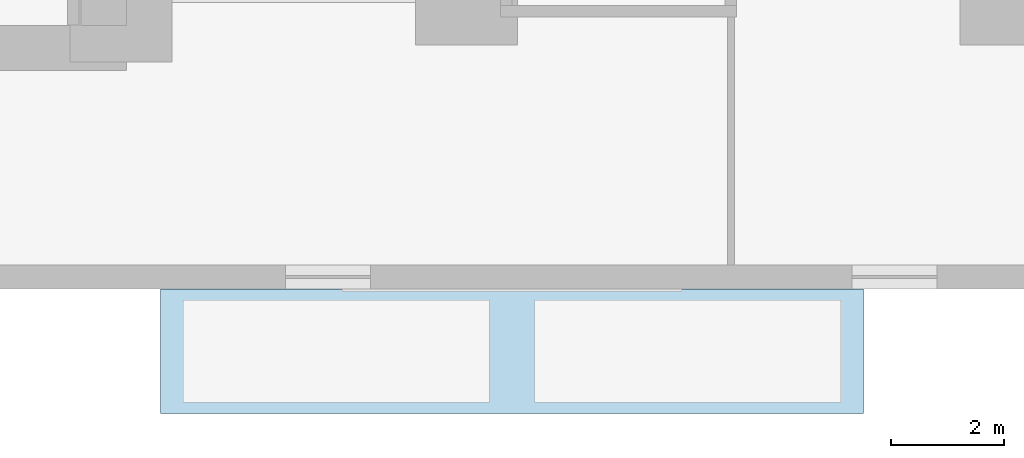
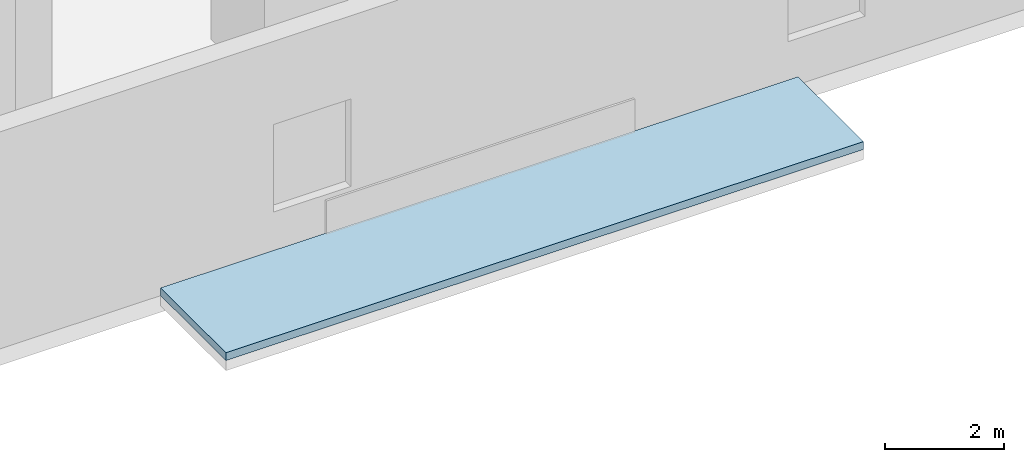
# One storey, part 15 of 17: 1 roof.
"""IFC4 building model written with IfcOpenShell, lengths in metres."""

import ifcopenshell
import ifcopenshell.guid

model = None  # the IFC model being written
_history = None  # IfcOwnerHistory: only IFC2X3 demands one
_inside = {}  # id of a spatial element -> (the spatial element, [elements in it])
_under = {}  # id of a project, library or spatial element -> (it, [spatial elements below it])
_declared = {}  # id of a project -> (the project, [libraries it declares])
_typed = {}  # id of a type object -> (the type object, [elements of that type])
_made_of = {}  # id of a material, layer set ... -> (it, [elements and type objects made of it])


def new_model(schema):
    """Start an empty IFC model of exactly this schema.

    Asked for "IFC4X3", IfcOpenShell would pick the latest addendum, in which some entities
    have other attributes; the version numbers below select the first issue.
    IFC2X3 requires an IfcOwnerHistory on every rooted entity: one is made here for all.
    """
    global model, _history
    if schema == "IFC4X3":
        model = ifcopenshell.file(schema_version=(4, 3, 0, 0))
    else:
        model = ifcopenshell.file(schema=schema)
    _inside.clear()
    _under.clear()
    _declared.clear()
    _typed.clear()
    _made_of.clear()
    _history = None
    if model.schema == "IFC2X3":
        org = make("IfcOrganization", Name="unknown")
        user = make(
            "IfcPersonAndOrganization",
            ThePerson=make("IfcPerson", FamilyName="unknown"),
            TheOrganization=org,
        )
        app = make(
            "IfcApplication",
            ApplicationDeveloper=org,
            Version="unknown",
            ApplicationFullName="unknown",
            ApplicationIdentifier="unknown",
        )
        _history = make(
            "IfcOwnerHistory",
            OwningUser=user,
            OwningApplication=app,
            ChangeAction="ADDED",
            CreationDate=0,
        )
    return model


def make(cls, **values):
    """One entity of the class cls with the attributes given. An attribute that is None is left unset."""
    return model.create_entity(
        cls, **{name: value for name, value in values.items() if value is not None}
    )


def rooted(cls, **values):
    """An entity with a GlobalId (a new one), such as an element, a storey or a relation."""
    return make(cls, GlobalId=ifcopenshell.guid.new(), OwnerHistory=_history, **values)


def si_unit(unit_type, name, prefix=None):
    """IfcSIUnit, for example si_unit("LENGTHUNIT", "METRE", prefix="MILLI")."""
    return make("IfcSIUnit", UnitType=unit_type, Prefix=prefix, Name=name)


def assignment(units):
    """IfcUnitAssignment: the units of a project."""
    return None if units is None else make("IfcUnitAssignment", Units=units)


def point(xyz):
    """IfcCartesianPoint."""
    return None if xyz is None else make("IfcCartesianPoint", Coordinates=xyz)


def direction(xyz):
    """IfcDirection."""
    return None if xyz is None else make("IfcDirection", DirectionRatios=xyz)


def frame(location, z_axis=None, x_axis=None):
    """IfcAxis2Placement3D, a coordinate frame: its origin and axes. An axis left out is left unset."""
    return make(
        "IfcAxis2Placement3D",
        Location=point(location),
        Axis=direction(z_axis),
        RefDirection=direction(x_axis),
    )


def origin():
    """The frame at (0, 0, 0) with its axes left unset."""
    return frame((0.0, 0.0, 0.0))


def place(relative_to, where):
    """IfcLocalPlacement: puts the frame where relative to a parent placement (None: the world)."""
    return make(
        "IfcLocalPlacement", PlacementRelTo=relative_to, RelativePlacement=where
    )


def context(
    kind, dimensions, precision=None, world=None, true_north=None, identifier=None
):
    """IfcGeometricRepresentationContext, for example the 3D "Model" context."""
    return make(
        "IfcGeometricRepresentationContext",
        ContextIdentifier=identifier,
        ContextType=kind,
        CoordinateSpaceDimension=dimensions,
        Precision=precision,
        WorldCoordinateSystem=world,
        TrueNorth=true_north,
    )


def subcontext(parent, identifier, kind, view, scale=None):
    """IfcGeometricRepresentationSubContext, for example "Body" below "Model"."""
    return make(
        "IfcGeometricRepresentationSubContext",
        ContextIdentifier=identifier,
        ContextType=kind,
        ParentContext=parent,
        TargetScale=scale,
        TargetView=view,
    )


def project(units=None, contexts=None):
    """IfcProject with its units and contexts."""
    return rooted(
        "IfcProject",
        Name="project",
        RepresentationContexts=contexts,
        UnitsInContext=assignment(units),
    )


def spatial(cls, under=None, at=None, **own):
    """A site, building, storey or space (cls), placed at a placement, below another one or the project."""
    s = rooted(cls, ObjectPlacement=at, **own)
    if under is not None:
        _under.setdefault(under.id(), (under, []))[1].append(s)
    return s


def polyline(points):
    """IfcPolyline through the points."""
    return make("IfcPolyline", Points=[point(p) for p in points])


def outline(outer, holes=None, kind="AREA"):
    """IfcArbitraryClosedProfileDef: a profile drawn as a closed curve; with holes, ...WithVoids."""
    if holes is None:
        return make("IfcArbitraryClosedProfileDef", ProfileType=kind, OuterCurve=outer)
    return make(
        "IfcArbitraryProfileDefWithVoids",
        ProfileType=kind,
        OuterCurve=outer,
        InnerCurves=holes,
    )


def extrude(swept, where, along, depth):
    """IfcExtrudedAreaSolid: the profile swept, set in the frame where, extruded along a direction by depth."""
    return make(
        "IfcExtrudedAreaSolid",
        SweptArea=swept,
        Position=where,
        ExtrudedDirection=direction(along),
        Depth=depth,
    )


def shape(context_of_items, identifier, shape_type, items):
    """IfcShapeRepresentation: the items that make up one representation, for example the "Body"."""
    return make(
        "IfcShapeRepresentation",
        ContextOfItems=context_of_items,
        RepresentationIdentifier=identifier,
        RepresentationType=shape_type,
        Items=items,
    )


def material(Name=None, Category=None):
    """IfcMaterial."""
    return make("IfcMaterial", Name=Name, Category=Category)


def layer(
    of_material, thickness, ventilated=None, Name=None, Category=None, Priority=None
):
    """IfcMaterialLayer: one layer of a wall or slab, of a material (None: an air gap)."""
    return make(
        "IfcMaterialLayer",
        Material=of_material,
        LayerThickness=thickness,
        IsVentilated=ventilated,
        Name=Name,
        Category=Category,
        Priority=Priority,
    )


def layer_set(layers, Name=None):
    """IfcMaterialLayerSet."""
    return make("IfcMaterialLayerSet", MaterialLayers=layers, LayerSetName=Name)


def made_of(thing, what):
    """Note that an element or type object is made of a material, layer set ...; save() writes the relation."""
    if what is not None:
        _made_of.setdefault(what.id(), (what, []))[1].append(thing)
    return thing


def type_object(cls, material=None, **own):
    """A type object (cls), such as IfcWallType, which elements share."""
    return made_of(rooted(cls, **own), material)


def element(
    cls,
    number,
    at=None,
    inside=None,
    cuts=None,
    type_object=None,
    material=None,
    context=None,
    identifier="Body",
    shape_type=None,
    held_by="IfcProductDefinitionShape",
    body=None,
    shapes=None,
    **own,
):
    """One element of the class cls, such as IfcWall. Its Tag is "e" and its number.

    at: its placement. inside: the storey or other place that contains it. cuts: it is an
    opening in that element (IfcRelVoidsElement). A single representation is given by context,
    identifier, shape_type and body (its items); several are given by shapes. held_by: the class
    of the entity that holds the representations. save() writes the other relations.
    """
    e = rooted(cls, Tag="e%d" % number, ObjectPlacement=at, **own)
    if body is not None:
        shapes = [shape(context, identifier, shape_type, body)]
    if shapes is not None:
        e.Representation = make(held_by, Representations=shapes)
    if inside is not None:
        _inside.setdefault(inside.id(), (inside, []))[1].append(e)
    if cuts is not None:
        rooted(
            "IfcRelVoidsElement", RelatingBuildingElement=cuts, RelatedOpeningElement=e
        )
    if type_object is not None:
        _typed.setdefault(type_object.id(), (type_object, []))[1].append(e)
    return made_of(e, material)


def aggregate(whole, parts):
    """IfcRelAggregates: a whole, such as a stair, and the parts it consists of."""
    return rooted("IfcRelAggregates", RelatingObject=whole, RelatedObjects=parts)


def save(model, path):
    """Write the relations noted so far, then the file.

    IfcRelAggregates (storeys below a building ...), IfcRelContainedInSpatialStructure (elements
    in a storey), IfcRelDefinesByType, IfcRelAssociatesMaterial and IfcRelDeclares: one each for
    every whole, place, type object, material and project.
    """
    for whole, parts in _under.values():
        aggregate(whole, parts)
    for where, things in _inside.values():
        rooted(
            "IfcRelContainedInSpatialStructure",
            RelatedElements=things,
            RelatingStructure=where,
        )
    for kind, things in _typed.values():
        rooted("IfcRelDefinesByType", RelatedObjects=things, RelatingType=kind)
    for what, things in _made_of.values():
        rooted("IfcRelAssociatesMaterial", RelatedObjects=things, RelatingMaterial=what)
    for by, libraries in _declared.values():
        rooted("IfcRelDeclares", RelatingContext=by, RelatedDefinitions=libraries)
    model.write(path)


model = new_model("IFC4")

# Units and contexts
model_context = context("Model", 3, precision=1e-05, world=origin(), true_north=direction((0.0, 1.0)))
body_context = subcontext(model_context, "Body", "Model", "MODEL_VIEW")
ifc_project = project(units=[si_unit("LENGTHUNIT", "METRE"), si_unit("AREAUNIT", "SQUARE_METRE"), si_unit("VOLUMEUNIT", "CUBIC_METRE"), si_unit("PLANEANGLEUNIT", "RADIAN"), si_unit("MASSUNIT", "GRAM", prefix="KILO")], contexts=[model_context])

# Site, building, storey
site_placement = place(None, origin())
site = spatial("IfcSite", under=ifc_project, at=site_placement, CompositionType="ELEMENT")
building_placement = place(site_placement, origin())
building = spatial("IfcBuilding", under=site, at=building_placement, Name="Kolvaren Waterfront Exchange", CompositionType="ELEMENT")
storey_placement = place(building_placement, frame((0.0, 0.0, 5.60009765625)))
storey = spatial("IfcBuildingStorey", under=building, at=storey_placement, Name="L02", CompositionType="ELEMENT", Elevation=5.60009765625)

# Roof
ifc_material = material(Name="Concrete C40/50", Category="concrete")
ifc_layer = layer(ifc_material, 0.320068359375, Name="Concrete C40/50")
ifc_layer_set = layer_set([ifc_layer], Name="Concrete C40/50")
roof_type = type_object("IfcRoofType", Name="STR-ROOF-ASSY", PredefinedType="FLAT_ROOF", material=ifc_layer_set)
roof_placement = place(storey_placement, origin())
element("IfcRoof", 1, at=roof_placement, inside=storey, type_object=roof_type, Name="L02 portico flat roof assembly 6", PredefinedType="FLAT_ROOF", context=body_context, shape_type="SweptSolid", body=[
    extrude(outline(polyline([(21.800048828125, -2.199951171875), (34.199951171875, -2.199951171875), (34.199951171875, 0.0), (21.800048828125, 0.0), (21.800048828125, -2.199951171875)])), origin(), (0.0, 0.0, 1.0), 0.159912109375),
])

save(model, "model.ifc")
